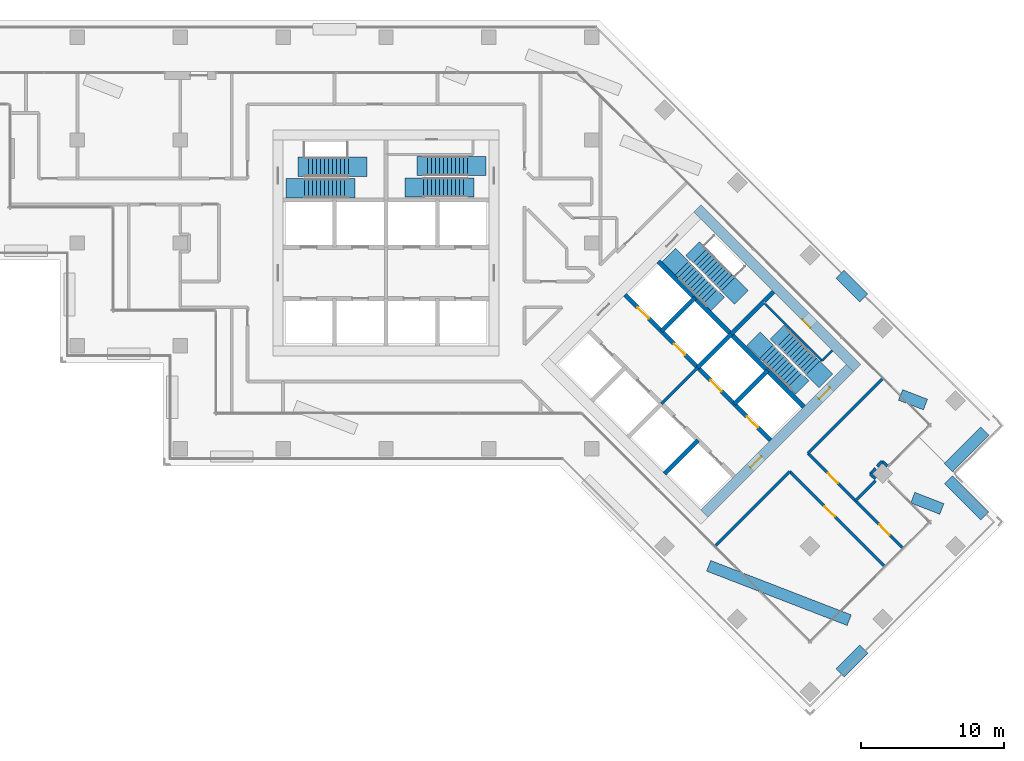
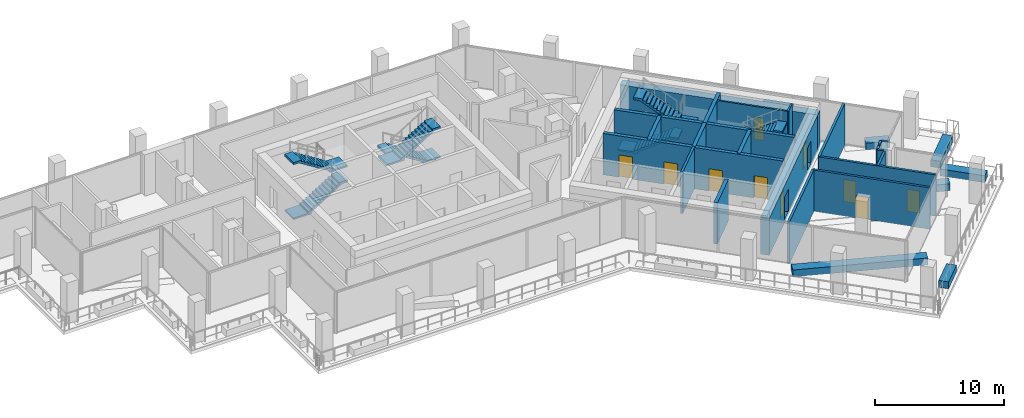
# One storey, part 12 of 21: 29 walls, 10 doors, 8 stair flights, 10 openings, 4 elements without a shape of their own.
"""IFC4 building model written with IfcOpenShell, lengths in metres."""

from ifc_helpers import new_model, si_unit, direction, frame, frame_2d, origin, place, context, subcontext, project, spatial, polyline, rectangle, outline, extrude, material, layer, layer_set, type_object, element, fill, aggregate, save


model = new_model("IFC4")

# Units and contexts
model_context = context("Model", 3, precision=1e-05, world=origin(), true_north=direction((0.0, 1.0)))
body_context = subcontext(model_context, "Body", "Model", "MODEL_VIEW")
ifc_project = project(units=[si_unit("LENGTHUNIT", "METRE"), si_unit("AREAUNIT", "SQUARE_METRE"), si_unit("VOLUMEUNIT", "CUBIC_METRE"), si_unit("PLANEANGLEUNIT", "RADIAN"), si_unit("MASSUNIT", "GRAM", prefix="KILO")], contexts=[model_context])

# Site, building, storey
site_placement = place(None, origin())
site = spatial("IfcSite", under=ifc_project, at=site_placement, CompositionType="ELEMENT")
building_placement = place(site_placement, origin())
building = spatial("IfcBuilding", under=site, at=building_placement, Name="Windrow Commons", CompositionType="ELEMENT")
storey_placement = place(building_placement, frame((0.0, 0.0, 131.2)))
storey = spatial("IfcBuildingStorey", under=building, at=storey_placement, Name="L35", CompositionType="ELEMENT", Elevation=131.2)

# Wall
ifc_material_1 = material(Name="Blockwork partition", Category="masonry")
ifc_layer_1 = layer(ifc_material_1, 0.2)
ifc_layer_set_1 = layer_set([ifc_layer_1], Name="Fire lobby partition 200")
wall_type_1 = type_object("IfcWallType", Name="Fire lobby partition 200", PredefinedType="PARTITIONING", material=ifc_layer_set_1)
wall_1_placement = place(storey_placement, frame((84.079, 46.332, 0.0), z_axis=(0.0, 0.0, 1.0), x_axis=(0.7071067812, 0.7071067812, 0.0)))
element("IfcWall", 1, at=wall_1_placement, inside=storey, type_object=wall_type_1, Name="W-core-lobby-B-L35", PredefinedType="PARTITIONING", context=body_context, shape_type="SweptSolid", body=[
    extrude(rectangle(XDim=3.6, YDim=0.2, at=frame_2d((1.8, 0.0))), origin(), (0.0, 0.0, 1.0), 3.9),
])

# Wall, opening, door
ifc_material_2 = material(Name="Blockwork partition", Category="masonry")
ifc_layer_2 = layer(ifc_material_2, 0.2)
ifc_layer_set_2 = layer_set([ifc_layer_2], Name="IW-CORRIDOR-200")
wall_type_2 = type_object("IfcWallType", Name="IW-CORRIDOR-200", PredefinedType="PARTITIONING", material=ifc_layer_set_2)
wall_2_placement = place(storey_placement, frame((93.0566, 41.5906, 0.0), z_axis=(0.0, 0.0, 1.0), x_axis=(0.7071067812, -0.7071067812, 0.0)))
wall_2 = element("IfcWall", 2, at=wall_2_placement, inside=storey, type_object=wall_type_2, Name="W-L35-W004", PredefinedType="PARTITIONING", context=body_context, shape_type="SweptSolid", body=[
    extrude(rectangle(XDim=9.3706, YDim=0.2, at=frame_2d((4.6853, 0.0))), origin(), (0.0, 0.0, 1.0), 3.9),
])
opening_1_placement = place(wall_2_placement, frame((3.4559, 0.0, 0.0)))
opening_1 = element("IfcOpeningElement", 3, at=opening_1_placement, cuts=wall_2, Name="Opening D310F", PredefinedType="OPENING", context=body_context, shape_type="SweptSolid", body=[
    extrude(rectangle(XDim=1.0, YDim=2.1, at=frame_2d((0.5, 1.05))), frame((0.0, 0.11, 0.0), z_axis=(0.0, -1.0, 0.0), x_axis=(1.0, 0.0, 0.0)), (0.0, 0.0, 1.0), 0.22),
])
ifc_material_3 = material(Name="Timber door leaf", Category="wood")
door_type_1 = type_object("IfcDoorType", Name="DT-AMENITY-1000", OperationType="SINGLE_SWING_LEFT", PredefinedType="DOOR", material=ifc_material_3)
door_1_placement = place(opening_1_placement, origin())
door_1 = element("IfcDoor", 4, at=door_1_placement, inside=storey, type_object=door_type_1, Name="D-L35-D015", OperationType="SINGLE_SWING_LEFT", OverallHeight=2.1, OverallWidth=1.0, PredefinedType="DOOR", context=body_context, shape_type="SweptSolid", body=[
    extrude(rectangle(XDim=1.0, YDim=2.1, at=frame_2d((0.5, 1.05))), frame((0.0, 0.025, 0.0), z_axis=(0.0, -1.0, 0.0), x_axis=(1.0, 0.0, 0.0)), (0.0, 0.0, 1.0), 0.05),
])
fill(opening_1, door_1)

# Wall, openings, doors
wall_3_placement = place(storey_placement, frame((94.3355, 42.8715, 0.0), z_axis=(0.0, 0.0, 1.0), x_axis=(0.7071067812, -0.7071067812, 0.0)))
wall_3 = element("IfcWall", 5, at=wall_3_placement, inside=storey, type_object=wall_type_2, Name="W-L35-W005", PredefinedType="PARTITIONING", context=body_context, shape_type="SweptSolid", body=[
    extrude(rectangle(XDim=9.3706, YDim=0.2, at=frame_2d((4.6853, 0.0))), origin(), (0.0, 0.0, 1.0), 3.9),
])
opening_2_placement = place(wall_3_placement, frame((1.9574, 0.0, 0.0)))
opening_2 = element("IfcOpeningElement", 6, at=opening_2_placement, cuts=wall_3, Name="Opening D310F", PredefinedType="OPENING", context=body_context, shape_type="SweptSolid", body=[
    extrude(rectangle(XDim=1.0, YDim=2.1, at=frame_2d((0.5, 1.05))), frame((0.0, 0.11, 0.0), z_axis=(0.0, -1.0, 0.0), x_axis=(1.0, 0.0, 0.0)), (0.0, 0.0, 1.0), 0.22),
])
opening_3_placement = place(wall_3_placement, frame((7.0566, 0.0, 0.0)))
opening_3 = element("IfcOpeningElement", 7, at=opening_3_placement, cuts=wall_3, Name="Opening D310F", PredefinedType="OPENING", context=body_context, shape_type="SweptSolid", body=[
    extrude(rectangle(XDim=1.0, YDim=2.1, at=frame_2d((0.5, 1.05))), frame((0.0, 0.11, 0.0), z_axis=(0.0, -1.0, 0.0), x_axis=(1.0, 0.0, 0.0)), (0.0, 0.0, 1.0), 0.22),
])
door_2_placement = place(opening_2_placement, origin())
door_2 = element("IfcDoor", 8, at=door_2_placement, inside=storey, type_object=door_type_1, Name="D-L35-D013", OperationType="SINGLE_SWING_LEFT", OverallHeight=2.1, OverallWidth=1.0, PredefinedType="DOOR", context=body_context, shape_type="SweptSolid", body=[
    extrude(rectangle(XDim=1.0, YDim=2.1, at=frame_2d((0.5, 1.05))), frame((0.0, 0.025, 0.0), z_axis=(0.0, -1.0, 0.0), x_axis=(1.0, 0.0, 0.0)), (0.0, 0.0, 1.0), 0.05),
])
fill(opening_2, door_2)
door_3_placement = place(opening_3_placement, origin())
door_3 = element("IfcDoor", 9, at=door_3_placement, inside=storey, type_object=door_type_1, Name="D-L35-D014", OperationType="SINGLE_SWING_LEFT", OverallHeight=2.1, OverallWidth=1.0, PredefinedType="DOOR", context=body_context, shape_type="SweptSolid", body=[
    extrude(rectangle(XDim=1.0, YDim=2.1, at=frame_2d((0.5, 1.05))), frame((0.0, 0.025, 0.0), z_axis=(0.0, -1.0, 0.0), x_axis=(1.0, 0.0, 0.0)), (0.0, 0.0, 1.0), 0.05),
])
fill(opening_3, door_3)

# Walls
for number, where, z_axis, x_axis, name in (
    (10, (94.3316, 42.8684, 0.0), (0.0, 0.0, 1.0), (0.7071067812, 0.7071067812, 0.0), "W-L35-W007"),
    (11, (87.8466, 36.3834, 0.0), (0.0, 0.0, 1.0), (0.7071067812, 0.7071067812, 0.0), "W-L35-W008"),
):
    element("IfcWall", number, at=place(storey_placement, frame(where, z_axis=z_axis, x_axis=x_axis)), inside=storey, type_object=wall_type_2, Name=name, PredefinedType="PARTITIONING", context=body_context, shape_type="SweptSolid", body=[
        extrude(rectangle(XDim=7.3709, YDim=0.2, at=frame_2d((3.6854, 0.0))), origin(), (0.0, 0.0, 1.0), 3.9),
    ])
ifc_material_4 = material(Name="Blockwork partition", Category="masonry")
ifc_layer_3 = layer(ifc_material_4, 0.2)
ifc_layer_set_3 = layer_set([ifc_layer_3], Name="IW-PARTY-200")
wall_type_3 = type_object("IfcWallType", Name="IW-PARTY-200", PredefinedType="PARTITIONING", material=ifc_layer_set_3)
wall_4_placement = place(storey_placement, frame((97.6558, 39.5442, 0.0), z_axis=(0.0, 0.0, 1.0), x_axis=(0.7066047531, 0.7076084531, 0.0)))
element("IfcWall", 12, at=wall_4_placement, inside=storey, type_object=wall_type_3, Name="W-L35-W043", PredefinedType="PARTITIONING", context=body_context, shape_type="SweptSolid", body=[
    extrude(rectangle(XDim=1.9926, YDim=0.2, at=frame_2d((0.9963, 0.0))), origin(), (0.0, 0.0, 1.0), 3.9),
])
wall_5_placement = place(storey_placement, frame((98.6981, 41.4221, 0.0), z_axis=(0.0, 0.0, 1.0), x_axis=(0.671582048, 0.7409301943, 0.0)))
element("IfcWall", 13, at=wall_5_placement, inside=storey, type_object=wall_type_3, Name="W-L35-W060", PredefinedType="PARTITIONING", context=body_context, shape_type="SweptSolid", body=[
    extrude(rectangle(XDim=0.548, YDim=0.2, at=frame_2d((0.274, 0.0))), origin(), (0.0, 0.0, 1.0), 3.9),
])
wall_6_placement = place(storey_placement, frame((99.512, 42.3242, 0.0), z_axis=(0.0, 0.0, 1.0), x_axis=(0.7406306665, -0.6719123572, 0.0)))
element("IfcWall", 14, at=wall_6_placement, inside=storey, type_object=wall_type_3, Name="W-L35-W061", PredefinedType="PARTITIONING", context=body_context, shape_type="SweptSolid", body=[
    extrude(rectangle(XDim=0.5239, YDim=0.2, at=frame_2d((0.262, 0.0))), origin(), (0.0, 0.0, 1.0), 3.9),
])
for number, where, z_axis, x_axis, name in (
    (15, (99.1743, 41.9556, 0.0), (0.0, 0.0, 1.0), (0.6720716465, 0.7404861255, 0.0), "W-L35-W062"),
    (16, (98.6929, 41.4205, 0.0), (0.0, 0.0, 1.0), (0.7404861255, -0.6720716465, 0.0), "W-L35-W063"),
):
    element("IfcWall", number, at=place(storey_placement, frame(where, z_axis=z_axis, x_axis=x_axis)), inside=storey, type_object=wall_type_3, Name=name, PredefinedType="PARTITIONING", context=body_context, shape_type="SweptSolid", body=[
        extrude(rectangle(XDim=0.497, YDim=0.2, at=frame_2d((0.2485, 0.0))), origin(), (0.0, 0.0, 1.0), 3.9),
    ])
ifc_material_5 = material(Name="Concrete C30/37 planter wall", Category="concrete")
ifc_layer_4 = layer(ifc_material_5, 0.8)
ifc_layer_set_4 = layer_set([ifc_layer_4], Name="Planter 800x600")
wall_type_4 = type_object("IfcWallType", Name="Planter 800x600", PredefinedType="SOLIDWALL", material=ifc_layer_set_4)
wall_7_placement = place(storey_placement, frame((96.5735, 27.5016, 0.0), z_axis=(0.0, 0.0, 1.0), x_axis=(0.7071067812, 0.7071067812, 0.0)))
element("IfcWall", 17, at=wall_7_placement, inside=storey, type_object=wall_type_4, Name="PLANTER TR-L35-1.1", PredefinedType="SOLIDWALL", context=body_context, shape_type="SweptSolid", body=[
    extrude(rectangle(XDim=2.3603, YDim=0.8, at=frame_2d((1.1802, 0.0))), origin(), (0.0, 0.0, 1.0), 0.65),
])
for number, where, z_axis, x_axis, name in (
    (18, (106.7065, 38.4832, 0.0), (0.0, 0.0, 1.0), (-0.7071345582, 0.707079003, 0.0), "PLANTER TR-L35-1.2"),
    (19, (104.1608, 41.8773, 0.0), (0.0, 0.0, 1.0), (0.7071345582, 0.707079003, 0.0), "PLANTER TR-L35-1.3"),
):
    element("IfcWall", number, at=place(storey_placement, frame(where, z_axis=z_axis, x_axis=x_axis)), inside=storey, type_object=wall_type_4, Name=name, PredefinedType="SOLIDWALL", context=body_context, shape_type="SweptSolid", body=[
        extrude(rectangle(XDim=3.6, YDim=0.8, at=frame_2d((1.8, 0.0))), origin(), (0.0, 0.0, 1.0), 0.65),
    ])
wall_8_placement = place(storey_placement, frame((98.2426, 53.7353, 0.0), z_axis=(0.0, 0.0, 1.0), x_axis=(-0.7071067812, 0.7071067812, 0.0)))
element("IfcWall", 20, at=wall_8_placement, inside=storey, type_object=wall_type_4, Name="PLANTER TR-L35-1.4", PredefinedType="SOLIDWALL", context=body_context, shape_type="SweptSolid", body=[
    extrude(rectangle(XDim=2.3605, YDim=0.8, at=frame_2d((1.1803, 0.0))), origin(), (0.0, 0.0, 1.0), 0.65),
])
wall_9_placement = place(storey_placement, frame((102.5558, 46.2864, 0.0), z_axis=(0.0, 0.0, 1.0), x_axis=(-0.9326266599, 0.3608427818, 0.0)))
element("IfcWall", 21, at=wall_9_placement, inside=storey, type_object=wall_type_4, Name="PLANTER TR-L35-1 bed 5", PredefinedType="SOLIDWALL", context=body_context, shape_type="SweptSolid", body=[
    extrude(rectangle(XDim=1.8726, YDim=0.8, at=frame_2d((0.9363, 0.0))), origin(), (0.0, 0.0, 1.0), 0.65),
])
wall_10_placement = place(storey_placement, frame((97.2185, 31.1956, 0.0), z_axis=(0.0, 0.0, 1.0), x_axis=(-0.9326217249, 0.3608555364, 0.0)))
element("IfcWall", 22, at=wall_10_placement, inside=storey, type_object=wall_type_4, Name="PLANTER TR-L35-1 bed 16", PredefinedType="SOLIDWALL", context=body_context, shape_type="SweptSolid", body=[
    extrude(rectangle(XDim=10.5485, YDim=0.8, at=frame_2d((5.2743, 0.0))), origin(), (0.0, 0.0, 1.0), 0.65),
])
wall_11_placement = place(storey_placement, frame((103.7009, 38.981, 0.0), z_axis=(0.0, 0.0, 1.0), x_axis=(-0.932630757, 0.3608321925, 0.0)))
element("IfcWall", 23, at=wall_11_placement, inside=storey, type_object=wall_type_4, Name="PLANTER TR-L35-1 bed 8", PredefinedType="SOLIDWALL", context=body_context, shape_type="SweptSolid", body=[
    extrude(outline(polyline([(0.0, -0.4), (2.1833, -0.4), (2.1833, 0.4), (0.0, 0.4), (0.0, -0.4)])), origin(), (0.0, 0.0, 1.0), 0.65),
])

# Wall, opening, door
ifc_material_6 = material(Name="Concrete C50/60", Category="concrete")
ifc_layer_5 = layer(ifc_material_6, 0.7)
ifc_layer_set_5 = layer_set([ifc_layer_5], Name="RC CORE WALL 700 C50/60")
wall_type_5 = type_object("IfcWallType", Name="RC CORE WALL 700 C50/60", PredefinedType="SHEAR", material=ifc_layer_set_5)
wall_12_placement = place(storey_placement, frame((86.5893, 60.0145, -0.3), z_axis=(0.0, 0.0, 1.0), x_axis=(0.7071099457, -0.7071036166, 0.0)))
wall_12 = element("IfcWall", 24, at=wall_12_placement, inside=storey, type_object=wall_type_5, Name="Core B wall outer-N", PredefinedType="SHEAR", context=body_context, shape_type="SweptSolid", body=[
    extrude(rectangle(XDim=15.7999, YDim=0.7, at=frame_2d((7.8999, 0.0))), origin(), (0.0, 0.0, 1.0), 3.5),
])
opening_4_placement = place(wall_12_placement, frame((10.7, 0.0, 0.3)))
opening_4 = element("IfcOpeningElement", 25, at=opening_4_placement, cuts=wall_12, Name="Opening D9", PredefinedType="OPENING", context=body_context, shape_type="SweptSolid", body=[
    extrude(rectangle(XDim=0.8, YDim=2.1, at=frame_2d((0.4, 1.05))), frame((0.0, 0.36, 0.0), z_axis=(0.0, -1.0, 0.0), x_axis=(1.0, 0.0, 0.0)), (0.0, 0.0, 1.0), 0.72),
])
ifc_material_7 = material(Name="Steel fire door leaf", Category="steel")
door_type_2 = type_object("IfcDoorType", Name="Riser access door 800", OperationType="SINGLE_SWING_LEFT", PredefinedType="DOOR", material=ifc_material_7)
door_4_placement = place(opening_4_placement, origin())
door_4 = element("IfcDoor", 26, at=door_4_placement, inside=storey, type_object=door_type_2, Name="Riser access door", OperationType="SINGLE_SWING_RIGHT", OverallHeight=2.1, OverallWidth=0.8, PredefinedType="DOOR", context=body_context, shape_type="SweptSolid", body=[
    extrude(rectangle(XDim=0.8, YDim=2.1, at=frame_2d((0.4, 1.05))), frame((0.0, -0.29, 0.0), z_axis=(0.0, -1.0, 0.0), x_axis=(1.0, 0.0, 0.0)), (0.0, 0.0, 1.0), 0.05),
])
fill(opening_4, door_4)

# Wall, openings, doors
wall_13_placement = place(storey_placement, frame((87.0842, 38.6599, -0.3), z_axis=(0.0, 0.0, 1.0), x_axis=(0.7071067812, 0.7071067812, 0.0)))
wall_13 = element("IfcWall", 27, at=wall_13_placement, inside=storey, type_object=wall_type_5, Name="Core B wall outer-E", PredefinedType="SHEAR", context=body_context, shape_type="SweptSolid", body=[
    extrude(rectangle(XDim=14.4001, YDim=0.7, at=frame_2d((7.2001, 0.0))), origin(), (0.0, 0.0, 1.0), 3.5),
])
opening_5_placement = place(wall_13_placement, frame((4.55, 0.0, 0.3)))
opening_5 = element("IfcOpeningElement", 28, at=opening_5_placement, cuts=wall_13, Name="Opening D6", PredefinedType="OPENING", context=body_context, shape_type="SweptSolid", body=[
    extrude(rectangle(XDim=1.1, YDim=2.1, at=frame_2d((0.55, 1.05))), frame((0.0, 0.36, 0.0), z_axis=(0.0, -1.0, 0.0), x_axis=(1.0, 0.0, 0.0)), (0.0, 0.0, 1.0), 0.72),
])
opening_6_placement = place(wall_13_placement, frame((11.35, 0.0, 0.3)))
opening_6 = element("IfcOpeningElement", 29, at=opening_6_placement, cuts=wall_13, Name="Opening D7", PredefinedType="OPENING", context=body_context, shape_type="SweptSolid", body=[
    extrude(rectangle(XDim=1.1, YDim=2.1, at=frame_2d((0.55, 1.05))), frame((0.0, 0.36, 0.0), z_axis=(0.0, -1.0, 0.0), x_axis=(1.0, 0.0, 0.0)), (0.0, 0.0, 1.0), 0.72),
])
ifc_material_8 = material(Name="Steel fire door leaf", Category="steel")
door_type_3 = type_object("IfcDoorType", Name="Core lobby door 1100", OperationType="SINGLE_SWING_LEFT", PredefinedType="DOOR", material=ifc_material_8)
door_5_placement = place(opening_5_placement, origin())
door_5 = element("IfcDoor", 30, at=door_5_placement, inside=storey, type_object=door_type_3, Name="Lift lobby door", OperationType="DOUBLE_DOOR_SINGLE_SWING", OverallHeight=2.1, OverallWidth=1.1, PredefinedType="DOOR", context=body_context, shape_type="SweptSolid", body=[
    extrude(rectangle(XDim=1.1, YDim=2.1, at=frame_2d((0.55, 1.05))), frame((0.0, 0.025, 0.0), z_axis=(0.0, -1.0, 0.0), x_axis=(1.0, 0.0, 0.0)), (0.0, 0.0, 1.0), 0.05),
])
fill(opening_5, door_5)
ifc_material_9 = material(Name="Steel fire door leaf", Category="steel")
door_type_4 = type_object("IfcDoorType", Name="Stair door 1100", OperationType="SINGLE_SWING_LEFT", PredefinedType="DOOR", material=ifc_material_9)
door_6_placement = place(opening_6_placement, origin())
door_6 = element("IfcDoor", 31, at=door_6_placement, inside=storey, type_object=door_type_4, Name="Stair door", OperationType="SINGLE_SWING_RIGHT", OverallHeight=2.1, OverallWidth=1.1, PredefinedType="DOOR", context=body_context, shape_type="SweptSolid", body=[
    extrude(rectangle(XDim=1.1, YDim=2.1, at=frame_2d((0.55, 1.05))), frame((0.0, 0.025, 0.0), z_axis=(0.0, -1.0, 0.0), x_axis=(1.0, 0.0, 0.0)), (0.0, 0.0, 1.0), 0.05),
])
fill(opening_6, door_6)

# Walls
ifc_material_10 = material(Name="Concrete C50/60", Category="concrete")
ifc_layer_6 = layer(ifc_material_10, 0.3)
ifc_layer_set_6 = layer_set([ifc_layer_6], Name="RC SHAFT WALL 300 C50/60")
wall_type_6 = type_object("IfcWallType", Name="RC SHAFT WALL 300 C50/60", PredefinedType="SOLIDWALL", material=ifc_layer_set_6)
wall_14_placement = place(storey_placement, frame((84.079, 51.4232, 0.0), z_axis=(0.0, 0.0, 1.0), x_axis=(0.7071219326, 0.7070916295, 0.0)))
element("IfcWall", 32, at=wall_14_placement, inside=storey, type_object=wall_type_6, Name="Core B wall shaft-N1", PredefinedType="SOLIDWALL", context=body_context, shape_type="SweptSolid", body=[
    extrude(rectangle(XDim=3.3, YDim=0.3, at=frame_2d((1.65, 0.0))), origin(), (0.0, 0.0, 1.0), 3.9),
])
wall_15_placement = place(storey_placement, frame((86.6246, 48.8776, 0.0), z_axis=(0.0, 0.0, 1.0), x_axis=(0.7071067812, 0.7071067812, 0.0)))
element("IfcWall", 33, at=wall_15_placement, inside=storey, type_object=wall_type_6, Name="Core B wall shaft-N2", PredefinedType="SOLIDWALL", context=body_context, shape_type="SweptSolid", body=[
    extrude(rectangle(XDim=3.3001, YDim=0.3, at=frame_2d((1.6501, 0.0))), origin(), (0.0, 0.0, 1.0), 3.9),
])
wall_16_placement = place(storey_placement, frame((84.2912, 41.453, 0.0), z_axis=(0.0, 0.0, 1.0), x_axis=(0.7071067812, 0.7071067812, 0.0)))
element("IfcWall", 34, at=wall_16_placement, inside=storey, type_object=wall_type_6, Name="Core B wall shaft-S3", PredefinedType="SOLIDWALL", context=body_context, shape_type="SweptSolid", body=[
    extrude(rectangle(XDim=3.2999, YDim=0.3, at=frame_2d((1.65, 0.0))), origin(), (0.0, 0.0, 1.0), 3.9),
])
wall_17_placement = place(storey_placement, frame((89.1702, 46.332, 0.0), z_axis=(0.0, 0.0, 1.0), x_axis=(0.7071067812, 0.7071067812, 0.0)))
element("IfcWall", 35, at=wall_17_placement, inside=storey, type_object=wall_type_6, Name="Core B wall shaft-N3", PredefinedType="SOLIDWALL", context=body_context, shape_type="SweptSolid", body=[
    extrude(rectangle(XDim=3.3001, YDim=0.3, at=frame_2d((1.6501, 0.0))), origin(), (0.0, 0.0, 1.0), 3.9),
])

# Wall, openings, doors
wall_18_placement = place(storey_placement, frame((81.5335, 53.9688, 0.0), z_axis=(0.0, 0.0, 1.0), x_axis=(0.707103309, -0.7071102534, 0.0)))
wall_18 = element("IfcWall", 36, at=wall_18_placement, inside=storey, type_object=wall_type_6, Name="Core B wall lobby-N", PredefinedType="SOLIDWALL", context=body_context, shape_type="SweptSolid", body=[
    extrude(rectangle(XDim=14.4, YDim=0.3, at=frame_2d((7.2, 0.0))), origin(), (0.0, 0.0, 1.0), 3.9),
])
opening_7_placement = place(wall_18_placement, frame((1.25, 0.0, 0.0)))
opening_7 = element("IfcOpeningElement", 37, at=opening_7_placement, cuts=wall_18, Name="Opening LD", PredefinedType="OPENING", context=body_context, shape_type="SweptSolid", body=[
    extrude(rectangle(XDim=1.1, YDim=2.1, at=frame_2d((0.55, 1.05))), frame((0.0, 0.16, 0.0), z_axis=(0.0, -1.0, 0.0), x_axis=(1.0, 0.0, 0.0)), (0.0, 0.0, 1.0), 0.32),
])
opening_8_placement = place(wall_18_placement, frame((4.85, 0.0, 0.0)))
opening_8 = element("IfcOpeningElement", 38, at=opening_8_placement, cuts=wall_18, Name="Opening LD", PredefinedType="OPENING", context=body_context, shape_type="SweptSolid", body=[
    extrude(rectangle(XDim=1.1, YDim=2.1, at=frame_2d((0.55, 1.05))), frame((0.0, 0.16, 0.0), z_axis=(0.0, -1.0, 0.0), x_axis=(1.0, 0.0, 0.0)), (0.0, 0.0, 1.0), 0.32),
])
opening_9_placement = place(wall_18_placement, frame((8.45, 0.0, 0.0)))
opening_9 = element("IfcOpeningElement", 39, at=opening_9_placement, cuts=wall_18, Name="Opening LD", PredefinedType="OPENING", context=body_context, shape_type="SweptSolid", body=[
    extrude(rectangle(XDim=1.1, YDim=2.1, at=frame_2d((0.55, 1.05))), frame((0.0, 0.16, 0.0), z_axis=(0.0, -1.0, 0.0), x_axis=(1.0, 0.0, 0.0)), (0.0, 0.0, 1.0), 0.32),
])
opening_10_placement = place(wall_18_placement, frame((12.05, 0.0, 0.0)))
opening_10 = element("IfcOpeningElement", 40, at=opening_10_placement, cuts=wall_18, Name="Opening LD", PredefinedType="OPENING", context=body_context, shape_type="SweptSolid", body=[
    extrude(rectangle(XDim=1.1, YDim=2.1, at=frame_2d((0.55, 1.05))), frame((0.0, 0.16, 0.0), z_axis=(0.0, -1.0, 0.0), x_axis=(1.0, 0.0, 0.0)), (0.0, 0.0, 1.0), 0.32),
])
ifc_material_11 = material(Name="Stainless steel door leaf", Category="steel")
door_type_5 = type_object("IfcDoorType", Name="Lift landing door 1100", OperationType="SLIDING_TO_LEFT", PredefinedType="DOOR", material=ifc_material_11)
door_7_placement = place(opening_7_placement, origin())
door_7 = element("IfcDoor", 41, at=door_7_placement, inside=storey, type_object=door_type_5, Name="Lift landing door", OperationType="SLIDING_TO_LEFT", OverallHeight=2.1, OverallWidth=1.1, PredefinedType="DOOR", context=body_context, shape_type="SweptSolid", body=[
    extrude(rectangle(XDim=1.1, YDim=2.1, at=frame_2d((0.55, 1.05))), frame((0.0, 0.025, 0.0), z_axis=(0.0, -1.0, 0.0), x_axis=(1.0, 0.0, 0.0)), (0.0, 0.0, 1.0), 0.05),
])
fill(opening_7, door_7)
door_8_placement = place(opening_8_placement, origin())
door_8 = element("IfcDoor", 42, at=door_8_placement, inside=storey, type_object=door_type_5, Name="Lift landing door", OperationType="SLIDING_TO_RIGHT", OverallHeight=2.1, OverallWidth=1.1, PredefinedType="DOOR", context=body_context, shape_type="SweptSolid", body=[
    extrude(rectangle(XDim=1.1, YDim=2.1, at=frame_2d((0.55, 1.05))), frame((0.0, 0.025, 0.0), z_axis=(0.0, -1.0, 0.0), x_axis=(1.0, 0.0, 0.0)), (0.0, 0.0, 1.0), 0.05),
])
fill(opening_8, door_8)
door_9_placement = place(opening_9_placement, origin())
door_9 = element("IfcDoor", 43, at=door_9_placement, inside=storey, type_object=door_type_5, Name="Lift landing door", OperationType="SLIDING_TO_LEFT", OverallHeight=2.1, OverallWidth=1.1, PredefinedType="DOOR", context=body_context, shape_type="SweptSolid", body=[
    extrude(rectangle(XDim=1.1, YDim=2.1, at=frame_2d((0.55, 1.05))), frame((0.0, 0.025, 0.0), z_axis=(0.0, -1.0, 0.0), x_axis=(1.0, 0.0, 0.0)), (0.0, 0.0, 1.0), 0.05),
])
fill(opening_9, door_9)
door_10_placement = place(opening_10_placement, origin())
door_10 = element("IfcDoor", 44, at=door_10_placement, inside=storey, type_object=door_type_5, Name="Lift landing door", OperationType="SLIDING_TO_RIGHT", OverallHeight=2.1, OverallWidth=1.1, PredefinedType="DOOR", context=body_context, shape_type="SweptSolid", body=[
    extrude(rectangle(XDim=1.1, YDim=2.1, at=frame_2d((0.55, 1.05))), frame((0.0, 0.025, 0.0), z_axis=(0.0, -1.0, 0.0), x_axis=(1.0, 0.0, 0.0)), (0.0, 0.0, 1.0), 0.05),
])
fill(opening_10, door_10)

# Walls
for number, where, z_axis, x_axis, name in (
    (45, (83.8669, 56.3022, 0.0), (0.0, 0.0, 1.0), (0.7071137256, -0.7070998367, 0.0), "Core B wall stair-S"),
    (46, (88.9581, 51.2111, 0.0), (0.0, 0.0, 1.0), (0.7070998367, -0.7071137256, 0.0), "Core B wall stair-S2"),
):
    element("IfcWall", number, at=place(storey_placement, frame(where, z_axis=z_axis, x_axis=x_axis)), inside=storey, type_object=wall_type_6, Name=name, PredefinedType="SOLIDWALL", context=body_context, shape_type="SweptSolid", body=[
        extrude(rectangle(XDim=7.2, YDim=0.3, at=frame_2d((3.6, 0.0))), origin(), (0.0, 0.0, 1.0), 3.9),
    ])
wall_19_placement = place(storey_placement, frame((88.9581, 51.2111, 0.0), z_axis=(0.0, 0.0, 1.0), x_axis=(0.7071067812, 0.7071067812, 0.0)))
element("IfcWall", 47, at=wall_19_placement, inside=storey, type_object=wall_type_6, Name="Core B wall stair-mid", PredefinedType="SOLIDWALL", context=body_context, shape_type="SweptSolid", body=[
    extrude(rectangle(XDim=4.1999, YDim=0.3, at=frame_2d((2.1, 0.0))), origin(), (0.0, 0.0, 1.0), 3.9),
])
ifc_material_12 = material(Name="Blockwork partition", Category="masonry")
ifc_layer_7 = layer(ifc_material_12, 0.15)
ifc_layer_set_7 = layer_set([ifc_layer_7], Name="Riser partition 150")
wall_type_7 = type_object("IfcWallType", Name="Riser partition 150", PredefinedType="PARTITIONING", material=ifc_layer_set_7)
wall_20_placement = place(storey_placement, frame((91.3127, 53.3536, 0.0), z_axis=(0.0, 0.0, 1.0), x_axis=(0.7071067812, -0.7071067812, 0.0)))
element("IfcWall", 48, at=wall_20_placement, inside=storey, type_object=wall_type_7, Name="W-core-strip-B-L35", PredefinedType="PARTITIONING", context=body_context, shape_type="SweptSolid", body=[
    extrude(rectangle(XDim=5.6501, YDim=0.15, at=frame_2d((2.8251, 0.0))), origin(), (0.0, 0.0, 1.0), 3.9),
])
wall_21_placement = place(storey_placement, frame((95.3079, 49.3584, 0.0), z_axis=(0.0, 0.0, 1.0), x_axis=(0.70705776, 0.707155799, 0.0)))
element("IfcWall", 49, at=wall_21_placement, inside=storey, type_object=wall_type_7, Name="W-core-stripx-B-L35-1", PredefinedType="PARTITIONING", context=body_context, shape_type="SweptSolid", body=[
    extrude(rectangle(XDim=1.02, YDim=0.15, at=frame_2d((0.51, 0.0))), origin(), (0.0, 0.0, 1.0), 3.9),
])

# Stair, stair flights
ifc_material_13 = material(Name="Concrete C40/50", Category="concrete")
stair_type = type_object("IfcStairType", Name="Core stair", PredefinedType="HALF_TURN_STAIR", material=ifc_material_13)
placement = place(storey_placement, origin())
stair_1 = element("IfcStair", 50, at=placement, inside=storey, type_object=stair_type, Name="L35 Exit stair A1 core A", PredefinedType="HALF_TURN_STAIR")
ifc_material_14 = material(Name="Concrete C40/50", Category="concrete")
stair_flight_type = type_object("IfcStairFlightType", Name="Core stair flight", PredefinedType="STRAIGHT", material=ifc_material_14)
stair_flight_1_placement = place(storey_placement, frame((59.1, 61.425, 0.0), z_axis=(0.0, 0.0, 1.0), x_axis=(1.0, 0.0, 0.0)))
stair_flight_1 = element("IfcStairFlight", 51, at=stair_flight_1_placement, type_object=stair_flight_type, Name="ST-A1 flight 1", NumberOfRisers=12, NumberOfTreads=11, PredefinedType="STRAIGHT", RiserHeight=0.175, TreadLength=0.28, context=body_context, shape_type="SweptSolid", body=[
    extrude(outline(polyline([(-1.3, -0.15), (-1.3, 0.0), (0.0, 0.0), (0.0, 0.175), (0.28, 0.175), (0.28, 0.35), (0.56, 0.35), (0.56, 0.525), (0.84, 0.525), (0.84, 0.7), (1.12, 0.7), (1.12, 0.875), (1.4, 0.875), (1.4, 1.05), (1.68, 1.05), (1.68, 1.225), (1.96, 1.225), (1.96, 1.4), (2.24, 1.4), (2.24, 1.575), (2.52, 1.575), (2.52, 1.75), (2.8, 1.75), (2.8, 1.925), (3.08, 1.925), (3.53, 1.925), (3.53, 1.725), (3.08, 1.725), (3.08, 1.7481), (0.283, 0.0), (0.283, -0.15), (-1.3, -0.15)])), frame((0.0, 0.675, 0.0), z_axis=(0.0, -1.0, 0.0), x_axis=(1.0, 0.0, 0.0)), (0.0, 0.0, 1.0), 1.35),
])
stair_flight_2_placement = place(storey_placement, frame((62.18, 62.925, 2.1), z_axis=(0.0, 0.0, 1.0), x_axis=(-1.0, 0.0, 0.0)))
stair_flight_2 = element("IfcStairFlight", 52, at=stair_flight_2_placement, type_object=stair_flight_type, Name="ST-A1 flight 2", NumberOfRisers=12, NumberOfTreads=11, PredefinedType="STRAIGHT", RiserHeight=0.175, TreadLength=0.28, context=body_context, shape_type="SweptSolid", body=[
    extrude(outline(polyline([(-1.3, -0.15), (-1.3, 0.0), (0.0, 0.0), (0.0, 0.175), (0.28, 0.175), (0.28, 0.35), (0.56, 0.35), (0.56, 0.525), (0.84, 0.525), (0.84, 0.7), (1.12, 0.7), (1.12, 0.875), (1.4, 0.875), (1.4, 1.05), (1.68, 1.05), (1.68, 1.225), (1.96, 1.225), (1.96, 1.4), (2.24, 1.4), (2.24, 1.575), (2.52, 1.575), (2.52, 1.75), (2.8, 1.75), (2.8, 1.925), (3.08, 1.925), (3.53, 1.925), (3.53, 1.725), (3.08, 1.725), (3.08, 1.7481), (0.283, 0.0), (0.283, -0.15), (-1.3, -0.15)])), frame((0.0, 0.675, 0.0), z_axis=(0.0, -1.0, 0.0), x_axis=(1.0, 0.0, 0.0)), (0.0, 0.0, 1.0), 1.35),
])
aggregate(stair_1, [stair_flight_1, stair_flight_2])

stair_2 = element("IfcStair", 53, at=placement, inside=storey, type_object=stair_type, Name="L35 Exit stair A2 core A", PredefinedType="HALF_TURN_STAIR")
stair_flight_3_placement = place(storey_placement, frame((70.5, 62.98, 0.0), z_axis=(0.0, 0.0, 1.0), x_axis=(-1.0, 0.0, 0.0)))
stair_flight_3 = element("IfcStairFlight", 54, at=stair_flight_3_placement, type_object=stair_flight_type, Name="ST-A2 flight 1", NumberOfRisers=12, NumberOfTreads=11, PredefinedType="STRAIGHT", RiserHeight=0.175, TreadLength=0.28, context=body_context, shape_type="SweptSolid", body=[
    extrude(outline(polyline([(-1.3, -0.15), (-1.3, 0.0), (0.0, 0.0), (0.0, 0.175), (0.28, 0.175), (0.28, 0.35), (0.56, 0.35), (0.56, 0.525), (0.84, 0.525), (0.84, 0.7), (1.12, 0.7), (1.12, 0.875), (1.4, 0.875), (1.4, 1.05), (1.68, 1.05), (1.68, 1.225), (1.96, 1.225), (1.96, 1.4), (2.24, 1.4), (2.24, 1.575), (2.52, 1.575), (2.52, 1.75), (2.8, 1.75), (2.8, 1.925), (3.08, 1.925), (3.53, 1.925), (3.53, 1.725), (3.08, 1.725), (3.08, 1.7481), (0.283, 0.0), (0.283, -0.15), (-1.3, -0.15)])), frame((0.0, 0.675, 0.0), z_axis=(0.0, -1.0, 0.0), x_axis=(1.0, 0.0, 0.0)), (0.0, 0.0, 1.0), 1.35),
])
stair_flight_4_placement = place(storey_placement, frame((67.42, 61.48, 2.1), z_axis=(0.0, 0.0, 1.0), x_axis=(1.0, 0.0, 0.0)))
stair_flight_4 = element("IfcStairFlight", 55, at=stair_flight_4_placement, type_object=stair_flight_type, Name="ST-A2 flight 2", NumberOfRisers=12, NumberOfTreads=11, PredefinedType="STRAIGHT", RiserHeight=0.175, TreadLength=0.28, context=body_context, shape_type="SweptSolid", body=[
    extrude(outline(polyline([(-1.3, -0.15), (-1.3, 0.0), (0.0, 0.0), (0.0, 0.175), (0.28, 0.175), (0.28, 0.35), (0.56, 0.35), (0.56, 0.525), (0.84, 0.525), (0.84, 0.7), (1.12, 0.7), (1.12, 0.875), (1.4, 0.875), (1.4, 1.05), (1.68, 1.05), (1.68, 1.225), (1.96, 1.225), (1.96, 1.4), (2.24, 1.4), (2.24, 1.575), (2.52, 1.575), (2.52, 1.75), (2.8, 1.75), (2.8, 1.925), (3.08, 1.925), (3.53, 1.925), (3.53, 1.725), (3.08, 1.725), (3.08, 1.7481), (0.283, 0.0), (0.283, -0.15), (-1.3, -0.15)])), frame((0.0, 0.675, 0.0), z_axis=(0.0, -1.0, 0.0), x_axis=(1.0, 0.0, 0.0)), (0.0, 0.0, 1.0), 1.35),
])
aggregate(stair_2, [stair_flight_3, stair_flight_4])

stair_3 = element("IfcStair", 56, at=placement, inside=storey, type_object=stair_type, Name="L35 Exit stair B1 core B", PredefinedType="HALF_TURN_STAIR")
stair_flight_5_placement = place(storey_placement, frame((85.5109, 55.8249, 0.0), z_axis=(0.0, 0.0, 1.0), x_axis=(0.7071067812, -0.7071067812, 0.0)))
stair_flight_5 = element("IfcStairFlight", 57, at=stair_flight_5_placement, type_object=stair_flight_type, Name="ST-B1 flight 1", NumberOfRisers=12, NumberOfTreads=11, PredefinedType="STRAIGHT", RiserHeight=0.175, TreadLength=0.28, context=body_context, shape_type="SweptSolid", body=[
    extrude(outline(polyline([(-1.3, -0.15), (-1.3, 0.0), (0.0, 0.0), (0.0, 0.175), (0.28, 0.175), (0.28, 0.35), (0.56, 0.35), (0.56, 0.525), (0.84, 0.525), (0.84, 0.7), (1.12, 0.7), (1.12, 0.875), (1.4, 0.875), (1.4, 1.05), (1.68, 1.05), (1.68, 1.225), (1.96, 1.225), (1.96, 1.4), (2.24, 1.4), (2.24, 1.575), (2.52, 1.575), (2.52, 1.75), (2.8, 1.75), (2.8, 1.925), (3.08, 1.925), (3.53, 1.925), (3.53, 1.725), (3.08, 1.725), (3.08, 1.7481), (0.283, 0.0), (0.283, -0.15), (-1.3, -0.15)])), frame((0.0, 0.675, 0.0), z_axis=(0.0, -1.0, 0.0), x_axis=(1.0, 0.0, 0.0)), (0.0, 0.0, 1.0), 1.35),
])
stair_flight_6_placement = place(storey_placement, frame((88.7495, 54.7077, 2.1), z_axis=(0.0, 0.0, 1.0), x_axis=(-0.7071067812, 0.7071067812, 0.0)))
stair_flight_6 = element("IfcStairFlight", 58, at=stair_flight_6_placement, type_object=stair_flight_type, Name="ST-B1 flight 2", NumberOfRisers=12, NumberOfTreads=11, PredefinedType="STRAIGHT", RiserHeight=0.175, TreadLength=0.28, context=body_context, shape_type="SweptSolid", body=[
    extrude(outline(polyline([(-1.3, -0.15), (-1.3, 0.0), (0.0, 0.0), (0.0, 0.175), (0.28, 0.175), (0.28, 0.35), (0.56, 0.35), (0.56, 0.525), (0.84, 0.525), (0.84, 0.7), (1.12, 0.7), (1.12, 0.875), (1.4, 0.875), (1.4, 1.05), (1.68, 1.05), (1.68, 1.225), (1.96, 1.225), (1.96, 1.4), (2.24, 1.4), (2.24, 1.575), (2.52, 1.575), (2.52, 1.75), (2.8, 1.75), (2.8, 1.925), (3.08, 1.925), (3.53, 1.925), (3.53, 1.725), (3.08, 1.725), (3.08, 1.7481), (0.283, 0.0), (0.283, -0.15), (-1.3, -0.15)])), frame((0.0, 0.675, 0.0), z_axis=(0.0, -1.0, 0.0), x_axis=(1.0, 0.0, 0.0)), (0.0, 0.0, 1.0), 1.35),
])
aggregate(stair_3, [stair_flight_5, stair_flight_6])

stair_4 = element("IfcStair", 59, at=placement, inside=storey, type_object=stair_type, Name="L35 Exit stair B2 core B", PredefinedType="HALF_TURN_STAIR")
stair_flight_7_placement = place(storey_placement, frame((94.6715, 48.8635, 0.0), z_axis=(0.0, 0.0, 1.0), x_axis=(-0.7071067812, 0.7071067812, 0.0)))
stair_flight_7 = element("IfcStairFlight", 60, at=stair_flight_7_placement, type_object=stair_flight_type, Name="ST-B2 flight 1", NumberOfRisers=12, NumberOfTreads=11, PredefinedType="STRAIGHT", RiserHeight=0.175, TreadLength=0.28, context=body_context, shape_type="SweptSolid", body=[
    extrude(outline(polyline([(-1.3, -0.15), (-1.3, 0.0), (0.0, 0.0), (0.0, 0.175), (0.28, 0.175), (0.28, 0.35), (0.56, 0.35), (0.56, 0.525), (0.84, 0.525), (0.84, 0.7), (1.12, 0.7), (1.12, 0.875), (1.4, 0.875), (1.4, 1.05), (1.68, 1.05), (1.68, 1.225), (1.96, 1.225), (1.96, 1.4), (2.24, 1.4), (2.24, 1.575), (2.52, 1.575), (2.52, 1.75), (2.8, 1.75), (2.8, 1.925), (3.08, 1.925), (3.53, 1.925), (3.53, 1.725), (3.08, 1.725), (3.08, 1.7481), (0.283, 0.0), (0.283, -0.15), (-1.3, -0.15)])), frame((0.0, 0.675, 0.0), z_axis=(0.0, -1.0, 0.0), x_axis=(1.0, 0.0, 0.0)), (0.0, 0.0, 1.0), 1.35),
])
stair_flight_8_placement = place(storey_placement, frame((91.4329, 49.9807, 2.1), z_axis=(0.0, 0.0, 1.0), x_axis=(0.7071067812, -0.7071067812, 0.0)))
stair_flight_8 = element("IfcStairFlight", 61, at=stair_flight_8_placement, type_object=stair_flight_type, Name="ST-B2 flight 2", NumberOfRisers=12, NumberOfTreads=11, PredefinedType="STRAIGHT", RiserHeight=0.175, TreadLength=0.28, context=body_context, shape_type="SweptSolid", body=[
    extrude(outline(polyline([(-1.3, -0.15), (-1.3, 0.0), (0.0, 0.0), (0.0, 0.175), (0.28, 0.175), (0.28, 0.35), (0.56, 0.35), (0.56, 0.525), (0.84, 0.525), (0.84, 0.7), (1.12, 0.7), (1.12, 0.875), (1.4, 0.875), (1.4, 1.05), (1.68, 1.05), (1.68, 1.225), (1.96, 1.225), (1.96, 1.4), (2.24, 1.4), (2.24, 1.575), (2.52, 1.575), (2.52, 1.75), (2.8, 1.75), (2.8, 1.925), (3.08, 1.925), (3.53, 1.925), (3.53, 1.725), (3.08, 1.725), (3.08, 1.7481), (0.283, 0.0), (0.283, -0.15), (-1.3, -0.15)])), frame((0.0, 0.675, 0.0), z_axis=(0.0, -1.0, 0.0), x_axis=(1.0, 0.0, 0.0)), (0.0, 0.0, 1.0), 1.35),
])
aggregate(stair_4, [stair_flight_7, stair_flight_8])

save(model, "model.ifc")
